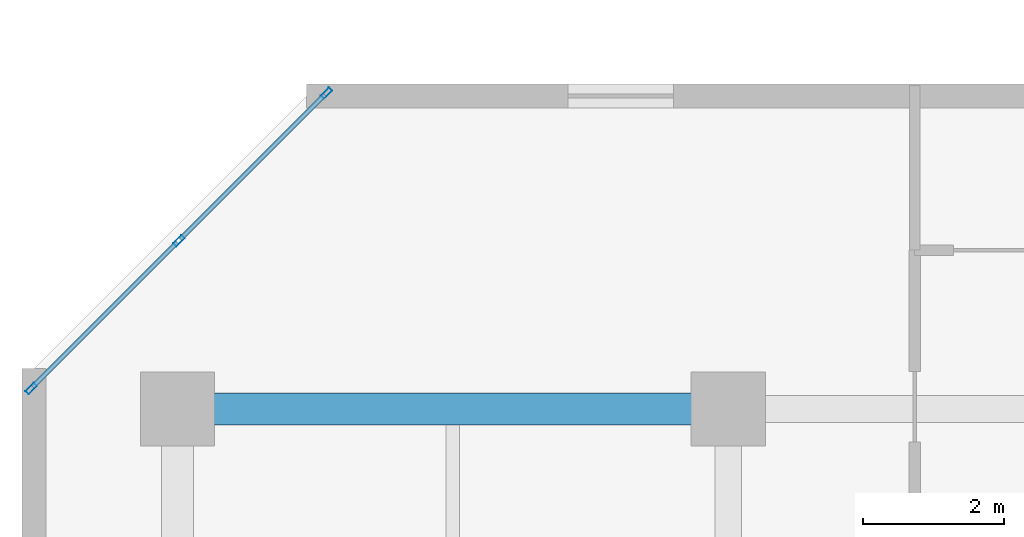
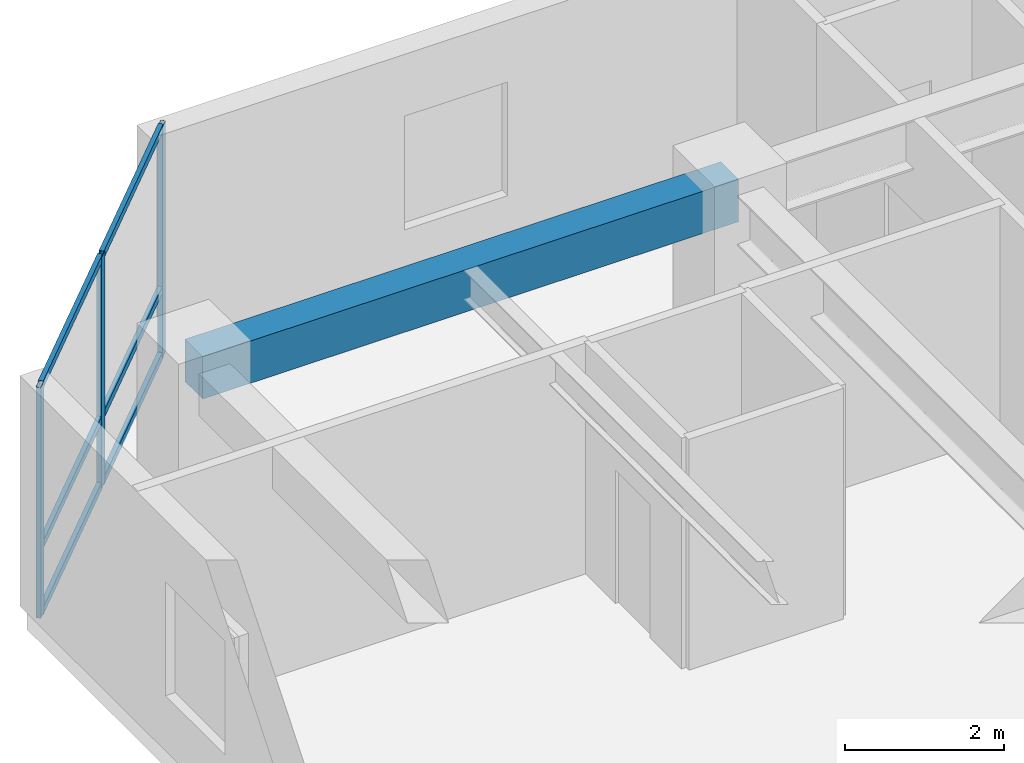
# One storey, part 2 of 9: 9 members, 1 beam, 1 element without a shape of its own.
"""IFC4 building model written with IfcOpenShell, lengths in metres."""

from ifc_helpers import new_model, si_unit, direction, frame, origin, origin_2d, place, context, subcontext, project, spatial, rectangle, hollow_rectangle, extrude, material, layer, layer_set, material_profile, profile_set, type_object, element, aggregate, save


model = new_model("IFC4")

# Units and contexts
model_context = context("Model", 3, precision=1e-05, world=origin(), true_north=direction((0.0, 1.0)))
body_context = subcontext(model_context, "Body", "Model", "MODEL_VIEW")
ifc_project = project(units=[si_unit("LENGTHUNIT", "METRE"), si_unit("AREAUNIT", "SQUARE_METRE"), si_unit("VOLUMEUNIT", "CUBIC_METRE"), si_unit("PLANEANGLEUNIT", "RADIAN"), si_unit("MASSUNIT", "GRAM", prefix="KILO")], contexts=[model_context])

# Site, building, storey
site_placement = place(None, origin())
site = spatial("IfcSite", under=ifc_project, at=site_placement, CompositionType="ELEMENT")
building_placement = place(site_placement, origin())
building = spatial("IfcBuilding", under=site, at=building_placement, Name="Kestravale Grand Hotel", CompositionType="ELEMENT")
storey_placement = place(building_placement, frame((0.0, 0.0, 176.39990234375)))
storey = spatial("IfcBuildingStorey", under=building, at=storey_placement, Name="L44", CompositionType="ELEMENT", Elevation=176.39990234375)

# Beam
ifc_material_1 = material(Name="Concrete f'c 45 MPa", Category="concrete")
ifc_material_profile_1 = material_profile(ifc_material_1, rectangle(XDim=0.449951171875, YDim=0.64990234375, at=origin_2d()))
ifc_profile_set_1 = profile_set([ifc_material_profile_1], Name="Concrete f'c 45 MPa")
beam_type = type_object("IfcBeamType", Name="B-FLR-RC650", PredefinedType="SPANDREL", material=ifc_profile_set_1)
beam_placement = place(storey_placement, frame((7.800048828125, 38.39990234375, 3.22509765625), z_axis=(1.0, 0.0, 0.0), x_axis=(0.0, 1.0, 0.0)))
element("IfcBeam", 1, at=beam_placement, inside=storey, type_object=beam_type, Name="L44 spandrel F:2-3", PredefinedType="SPANDREL", context=body_context, shape_type="SweptSolid", body=[
    extrude(rectangle(XDim=0.449951171875, YDim=0.64990234375, at=origin_2d()), origin(), (0.0, 0.0, 1.0), 7.800048828125),
])

# Curtain wall, members
ifc_material_2 = material(Name="Thermally broken champagne-bronze aluminium and low-E glazing", Category="aluminium")
ifc_layer = layer(ifc_material_2, 0.179931640625)
ifc_layer_set = layer_set([ifc_layer], Name="CW-Z3")
curtain_wall_type = type_object("IfcCurtainWallType", Name="CW-Z3", PredefinedType="NOTDEFINED", material=ifc_layer_set)
curtain_wall_placement = place(storey_placement, origin())
curtain_wall = element("IfcCurtainWall", 2, at=curtain_wall_placement, inside=storey, type_object=curtain_wall_type, Name="L44 unitised curtain wall 18", PredefinedType="NOTDEFINED")
ifc_material_3 = material(Name="Aluminium 6063-T6 anodised", Category="aluminium")
ifc_material_profile_2 = material_profile(ifc_material_3, hollow_rectangle(XDim=0.06494140625, YDim=0.1650390625, WallThickness=0.00341796875, at=origin_2d()))
ifc_profile_set_2 = profile_set([ifc_material_profile_2], Name="Aluminium 6063-T6 anodised")
member_type_1 = type_object("IfcMemberType", Name="CW-MUL-165", PredefinedType="MULLION", material=ifc_profile_set_2)
member_1_placement = place(storey_placement, frame((9.911376953125, 42.87109375, 0.0), z_axis=(0.0, 0.0, 1.0), x_axis=(0.707106781187, -0.707106781187, 0.0)))
member_1 = element("IfcMember", 3, at=member_1_placement, type_object=member_type_1, Name="CW-Z3 mullion 1", PredefinedType="MULLION", context=body_context, shape_type="SweptSolid", body=[
    extrude(hollow_rectangle(XDim=0.06494140625, YDim=0.1650390625, WallThickness=0.00341796875, at=origin_2d()), origin(), (0.0, 0.0, 1.0), 3.550048828125),
])
member_2_placement = place(storey_placement, frame((7.8203125, 40.77978515625, 0.0), z_axis=(0.0, 0.0, 1.0), x_axis=(0.707106781187, -0.707106781187, 0.0)))
member_2 = element("IfcMember", 4, at=member_2_placement, type_object=member_type_1, Name="CW-Z3 mullion 2", PredefinedType="MULLION", context=body_context, shape_type="SweptSolid", body=[
    extrude(hollow_rectangle(XDim=0.06494140625, YDim=0.1650390625, WallThickness=0.00341796875, at=origin_2d()), origin(), (0.0, 0.0, 1.0), 3.550048828125),
])
member_3_placement = place(storey_placement, frame((5.72900390625, 38.6884765625, 0.0), z_axis=(0.0, 0.0, 1.0), x_axis=(0.707106781187, -0.707106781187, 0.0)))
member_3 = element("IfcMember", 5, at=member_3_placement, type_object=member_type_1, Name="CW-Z3 mullion 3", PredefinedType="MULLION", context=body_context, shape_type="SweptSolid", body=[
    extrude(hollow_rectangle(XDim=0.06494140625, YDim=0.1650390625, WallThickness=0.00341796875, at=origin_2d()), origin(), (0.0, 0.0, 1.0), 3.550048828125),
])
ifc_material_4 = material(Name="Aluminium 6063-T6 anodised", Category="aluminium")
ifc_material_profile_3 = material_profile(ifc_material_4, hollow_rectangle(XDim=0.06494140625, YDim=0.114990234375, WallThickness=0.003173828125, at=origin_2d()))
ifc_profile_set_3 = profile_set([ifc_material_profile_3], Name="Aluminium 6063-T6 anodised")
member_type_2 = type_object("IfcMemberType", Name="CW-TRN-115", PredefinedType="USERDEFINED", material=ifc_profile_set_3)
member_4_placement = place(storey_placement, frame((9.888427734375, 42.84814453125, 0.03271484375), z_axis=(-0.707064577195, -0.707148982659, 0.0), x_axis=(0.707148982659, -0.707064577195, 0.0)))
member_4 = element("IfcMember", 6, at=member_4_placement, type_object=member_type_2, Name="CW-Z3 transom 1.1", ObjectType="TRANSOM", PredefinedType="USERDEFINED", context=body_context, shape_type="SweptSolid", body=[
    extrude(hollow_rectangle(XDim=0.06494140625, YDim=0.114990234375, WallThickness=0.003173828125, at=origin_2d()), origin(), (0.0, 0.0, 1.0), 2.892578125),
])
member_5_placement = place(storey_placement, frame((9.888427734375, 42.84814453125, 1.050048828125), z_axis=(-0.707064577195, -0.707148982659, 0.0), x_axis=(0.707148982659, -0.707064577195, 0.0)))
member_5 = element("IfcMember", 7, at=member_5_placement, type_object=member_type_2, Name="CW-Z3 transom 1.2", ObjectType="TRANSOM", PredefinedType="USERDEFINED", context=body_context, shape_type="SweptSolid", body=[
    extrude(hollow_rectangle(XDim=0.06494140625, YDim=0.114990234375, WallThickness=0.003173828125, at=origin_2d()), origin(), (0.0, 0.0, 1.0), 2.892578125),
])
member_6_placement = place(storey_placement, frame((9.888427734375, 42.84814453125, 3.517578125), z_axis=(-0.707064577195, -0.707148982659, 0.0), x_axis=(0.707148982659, -0.707064577195, 0.0)))
member_6 = element("IfcMember", 8, at=member_6_placement, type_object=member_type_2, Name="CW-Z3 transom 1.3", ObjectType="TRANSOM", PredefinedType="USERDEFINED", context=body_context, shape_type="SweptSolid", body=[
    extrude(hollow_rectangle(XDim=0.06494140625, YDim=0.114990234375, WallThickness=0.003173828125, at=origin_2d()), origin(), (0.0, 0.0, 1.0), 2.892578125),
])
member_7_placement = place(storey_placement, frame((7.797119140625, 40.7568359375, 0.03271484375), z_axis=(-0.707106781187, -0.707106781187, 0.0), x_axis=(0.707106781187, -0.707106781187, 0.0)))
member_7 = element("IfcMember", 9, at=member_7_placement, type_object=member_type_2, Name="CW-Z3 transom 2.1", ObjectType="TRANSOM", PredefinedType="USERDEFINED", context=body_context, shape_type="SweptSolid", body=[
    extrude(hollow_rectangle(XDim=0.06494140625, YDim=0.114990234375, WallThickness=0.003173828125, at=origin_2d()), origin(), (0.0, 0.0, 1.0), 2.892333984375),
])
member_8_placement = place(storey_placement, frame((7.797119140625, 40.7568359375, 1.050048828125), z_axis=(-0.707106781187, -0.707106781187, 0.0), x_axis=(0.707106781187, -0.707106781187, 0.0)))
member_8 = element("IfcMember", 10, at=member_8_placement, type_object=member_type_2, Name="CW-Z3 transom 2.2", ObjectType="TRANSOM", PredefinedType="USERDEFINED", context=body_context, shape_type="SweptSolid", body=[
    extrude(hollow_rectangle(XDim=0.06494140625, YDim=0.114990234375, WallThickness=0.003173828125, at=origin_2d()), origin(), (0.0, 0.0, 1.0), 2.892333984375),
])
member_9_placement = place(storey_placement, frame((7.797119140625, 40.7568359375, 3.517578125), z_axis=(-0.707106781187, -0.707106781187, 0.0), x_axis=(0.707106781187, -0.707106781187, 0.0)))
member_9 = element("IfcMember", 11, at=member_9_placement, type_object=member_type_2, Name="CW-Z3 transom 2.3", ObjectType="TRANSOM", PredefinedType="USERDEFINED", context=body_context, shape_type="SweptSolid", body=[
    extrude(hollow_rectangle(XDim=0.06494140625, YDim=0.114990234375, WallThickness=0.003173828125, at=origin_2d()), origin(), (0.0, 0.0, 1.0), 2.892333984375),
])
aggregate(curtain_wall, [member_1, member_2, member_3, member_4, member_5, member_6, member_7, member_8, member_9])

save(model, "model.ifc")
